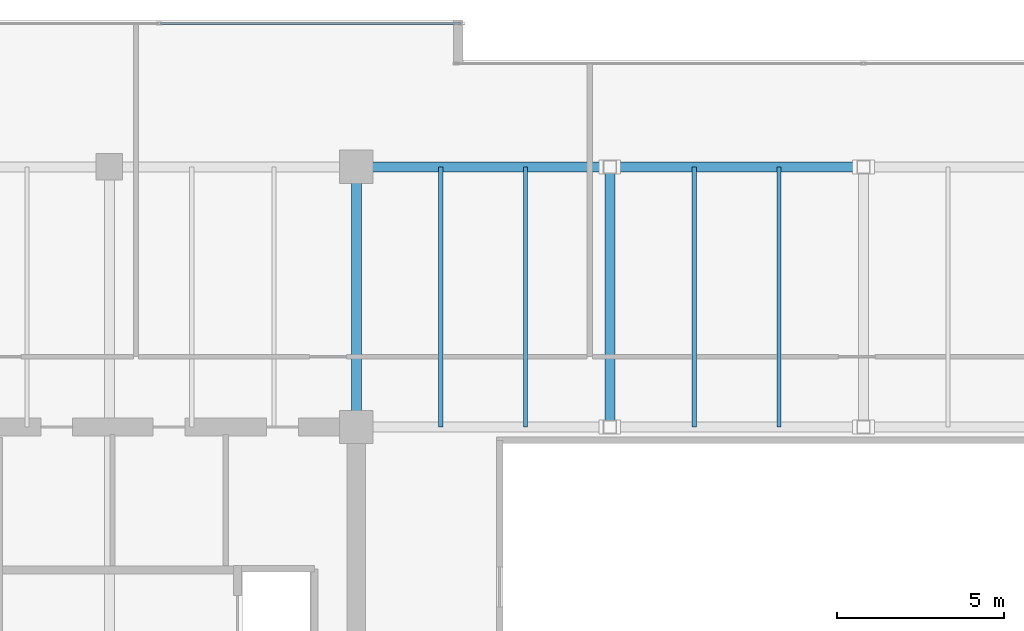
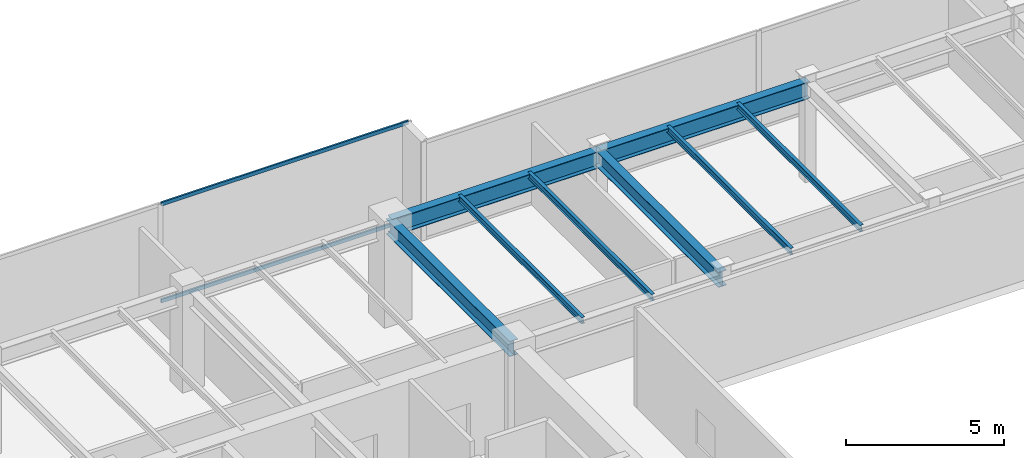
# One storey, part 16 of 33: 8 beams, 2 members, 1 element without a shape of its own.
"""IFC4 building model written with IfcOpenShell, lengths in metres."""

from ifc_helpers import new_model, si_unit, direction, frame, origin, origin_2d, place, context, subcontext, project, spatial, hollow_rectangle, i_section, extrude, source, transform, mapped, material, layer, layer_set, material_profile, profile_set, type_object, type_shapes, element, aggregate, save


model = new_model("IFC4")

# Units and contexts
model_context = context("Model", 3, precision=1e-05, world=origin(), true_north=direction((0.0, 1.0)))
body_context = subcontext(model_context, "Body", "Model", "MODEL_VIEW")
ifc_project = project(units=[si_unit("LENGTHUNIT", "METRE"), si_unit("AREAUNIT", "SQUARE_METRE"), si_unit("VOLUMEUNIT", "CUBIC_METRE"), si_unit("PLANEANGLEUNIT", "RADIAN"), si_unit("MASSUNIT", "GRAM", prefix="KILO")], contexts=[model_context])

# Site, building, storey
site_placement = place(None, origin())
site = spatial("IfcSite", under=ifc_project, at=site_placement, CompositionType="ELEMENT")
building_placement = place(site_placement, origin())
building = spatial("IfcBuilding", under=site, at=building_placement, Name="Haelvirn Gate Laboratories", CompositionType="ELEMENT")
storey_placement = place(building_placement, frame((0.0, 0.0, 287.5)))
storey = spatial("IfcBuildingStorey", under=building, at=storey_placement, Name="L69", CompositionType="ELEMENT", Elevation=287.5)

# Beams
ifc_material_1 = material(Name="Steel SM355", Category="steel")
ifc_material_profile_1 = material_profile(ifc_material_1, i_section(OverallWidth=0.300048828125, OverallDepth=0.587890625, WebThickness=0.011962890625, FlangeThickness=0.02001953125, at=origin_2d()), Name="H-588x300x12x20")
ifc_profile_set_1 = profile_set([ifc_material_profile_1], Name="Steel SM355")
beam_type_1 = type_object("IfcBeamType", Name="BM-G-588", PredefinedType="BEAM", material=ifc_profile_set_1)
shared_shape_1 = source(origin(), body_context, "Body", "SweptSolid", [
    extrude(i_section(OverallWidth=0.300048828125, OverallDepth=0.587890625, WebThickness=0.011962890625, FlangeThickness=0.02001953125, at=origin_2d()), origin(), (0.0, 0.0, 1.0), 7.800048828125),
])
type_shapes(beam_type_1, [shared_shape_1])
for number, where, z_axis, x_axis, name in (
    (1, (22.199951171875, 33.800048828125, 3.506103515625), (0.0, 1.0, 0.0), (-1.0, 0.0, 0.0), "L69 Frame Girder X22.2 (33.8-41.6)"),
    (2, (29.800048828125, 33.800048828125, 3.506103515625), (0.0, 1.0, 0.0), (-1.0, 0.0, 0.0), "L69 Frame Girder X29.8 (33.8-41.6)"),
):
    element("IfcBeam", number, at=place(storey_placement, frame(where, z_axis=z_axis, x_axis=x_axis)), inside=storey, type_object=beam_type_1, Name=name, PredefinedType="BEAM", context=body_context, shape_type="MappedRepresentation", body=[
        mapped(shared_shape_1, transform((0.0, 0.0, 0.0), scale=1.0)),
    ])
ifc_material_profile_2 = material_profile(ifc_material_1, i_section(OverallWidth=0.300048828125, OverallDepth=0.64990234375, WebThickness=0.012939453125, FlangeThickness=0.02197265625, at=origin_2d()), Name="H-650x300x13x22")
ifc_profile_set_2 = profile_set([ifc_material_profile_2], Name="Steel SM355")
beam_type_2 = type_object("IfcBeamType", Name="BM-G-650", PredefinedType="BEAM", material=ifc_profile_set_2)
shared_shape_2 = source(origin(), body_context, "Body", "SweptSolid", [
    extrude(i_section(OverallWidth=0.300048828125, OverallDepth=0.64990234375, WebThickness=0.012939453125, FlangeThickness=0.02197265625, at=origin_2d()), origin(), (0.0, 0.0, 1.0), 7.60009765625),
])
beam_1_placement = place(storey_placement, frame((22.199951171875, 41.60009765625, 3.47509765625), z_axis=(1.0, 0.0, 0.0), x_axis=(0.0, 1.0, 0.0)))
element("IfcBeam", 3, at=beam_1_placement, inside=storey, type_object=beam_type_2, Name="L69 Primary Girder Y41.6 (22.2-29.8)", PredefinedType="BEAM", context=body_context, shape_type="MappedRepresentation", body=[
    mapped(shared_shape_2, transform((0.0, 0.0, 0.0), scale=1.0)),
])
shared_shape_3 = source(origin(), body_context, "Body", "SweptSolid", [
    extrude(i_section(OverallWidth=0.300048828125, OverallDepth=0.64990234375, WebThickness=0.012939453125, FlangeThickness=0.02197265625, at=origin_2d()), origin(), (0.0, 0.0, 1.0), 7.599853515625),
])
type_shapes(beam_type_2, [shared_shape_2, shared_shape_3])
beam_2_placement = place(storey_placement, frame((29.800048828125, 41.60009765625, 3.47509765625), z_axis=(1.0, 0.0, 0.0), x_axis=(0.0, 1.0, 0.0)))
element("IfcBeam", 4, at=beam_2_placement, inside=storey, type_object=beam_type_2, Name="L69 Primary Girder Y41.6 (29.8-37.4)", PredefinedType="BEAM", context=body_context, shape_type="MappedRepresentation", body=[
    mapped(shared_shape_3, transform((0.0, 0.0, 0.0), scale=1.0)),
])
ifc_material_profile_3 = material_profile(ifc_material_1, i_section(OverallWidth=0.125, OverallDepth=0.25, WebThickness=0.006103515625, FlangeThickness=0.009033203125, at=origin_2d()), Name="H-250x125x6x9")
ifc_profile_set_3 = profile_set([ifc_material_profile_3], Name="Steel SM355")
beam_type_3 = type_object("IfcBeamType", Name="BM-J-250", PredefinedType="JOIST", material=ifc_profile_set_3)
shared_shape_4 = source(origin(), body_context, "Body", "SweptSolid", [
    extrude(i_section(OverallWidth=0.125, OverallDepth=0.25, WebThickness=0.006103515625, FlangeThickness=0.009033203125, at=origin_2d()), origin(), (0.0, 0.0, 1.0), 7.800048828125),
])
type_shapes(beam_type_3, [shared_shape_4])
for number, where, z_axis, x_axis, name in (
    (5, (24.72998046875, 33.800048828125, 3.675048828125), (0.0, 1.0, 0.0), (-1.0, 0.0, 0.0), "L69 Composite Lab Joist North X24.73"),
    (6, (27.27001953125, 33.800048828125, 3.675048828125), (0.0, 1.0, 0.0), (-1.0, 0.0, 0.0), "L69 Composite Lab Joist North X27.27"),
    (7, (32.330078125, 33.800048828125, 3.675048828125), (0.0, 1.0, 0.0), (-1.0, 0.0, 0.0), "L69 Composite Lab Joist North X32.33"),
    (8, (34.8701171875, 33.800048828125, 3.675048828125), (0.0, 1.0, 0.0), (-1.0, 0.0, 0.0), "L69 Composite Lab Joist North X34.87"),
):
    element("IfcBeam", number, at=place(storey_placement, frame(where, z_axis=z_axis, x_axis=x_axis)), inside=storey, type_object=beam_type_3, Name=name, PredefinedType="JOIST", context=body_context, shape_type="MappedRepresentation", body=[
        mapped(shared_shape_4, transform((0.0, 0.0, 0.0), scale=1.0)),
    ])

# Curtain wall, members
ifc_material_2 = material(Name="Anodised bronze unitised aluminium & triple low-E glass", Category="aluminium")
ifc_layer = layer(ifc_material_2, 0.176025390625, Name="CW-SYS-4")
ifc_layer_set = layer_set([ifc_layer], Name="Anodised bronze unitised aluminium & triple low-E glass")
curtain_wall_type = type_object("IfcCurtainWallType", Name="CW-SYS-4", PredefinedType="NOTDEFINED", material=ifc_layer_set)
curtain_wall_placement = place(storey_placement, origin())
curtain_wall = element("IfcCurtainWall", 9, at=curtain_wall_placement, inside=storey, type_object=curtain_wall_type, Name="L69 Unitised Curtain Wall CW-L69-P0-E14-1", PredefinedType="NOTDEFINED")
ifc_material_3 = material(Name="Extruded aluminium 6063-T6 (anodised bronze)", Category="aluminium")
ifc_material_profile_4 = material_profile(ifc_material_3, hollow_rectangle(XDim=0.06494140625, YDim=0.139892578125, WallThickness=0.00390625, at=origin_2d()), Name="CWT-140x65x4")
ifc_profile_set_4 = profile_set([ifc_material_profile_4], Name="Extruded aluminium 6063-T6 (anodised bronze)")
member_type = type_object("IfcMemberType", Name="CWT-T140", PredefinedType="USERDEFINED", material=ifc_profile_set_4)
shared_shape_5 = source(origin(), body_context, "Body", "SweptSolid", [
    extrude(hollow_rectangle(XDim=0.06494140625, YDim=0.139892578125, WallThickness=0.00390625, at=origin_2d()), origin(), (0.0, 0.0, 1.0), 8.9951171875),
])
type_shapes(member_type, [shared_shape_5])
member_1_placement = place(storey_placement, frame((16.3349609375, 45.89990234375, 0.032470703125), z_axis=(1.0, 0.0, 0.0), x_axis=(0.0, 1.0, 0.0)))
member_1 = element("IfcMember", 10, at=member_1_placement, type_object=member_type, Name="CW4 transom 2.1", ObjectType="TRANSOM", PredefinedType="USERDEFINED", context=body_context, shape_type="MappedRepresentation", body=[
    mapped(shared_shape_5, transform((0.0, 0.0, 0.0), scale=1.0)),
])
member_2_placement = place(storey_placement, frame((16.3349609375, 45.89990234375, 3.767578125), z_axis=(1.0, 0.0, 0.0), x_axis=(0.0, 1.0, 0.0)))
member_2 = element("IfcMember", 11, at=member_2_placement, type_object=member_type, Name="CW4 transom 2.2", ObjectType="TRANSOM", PredefinedType="USERDEFINED", context=body_context, shape_type="MappedRepresentation", body=[
    mapped(shared_shape_5, transform((0.0, 0.0, 0.0), scale=1.0)),
])
aggregate(curtain_wall, [member_1, member_2])

save(model, "model.ifc")
